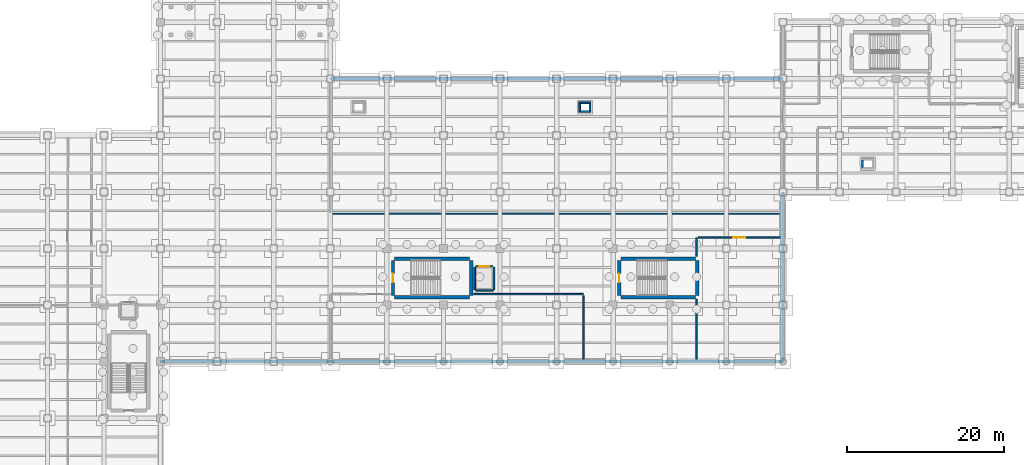
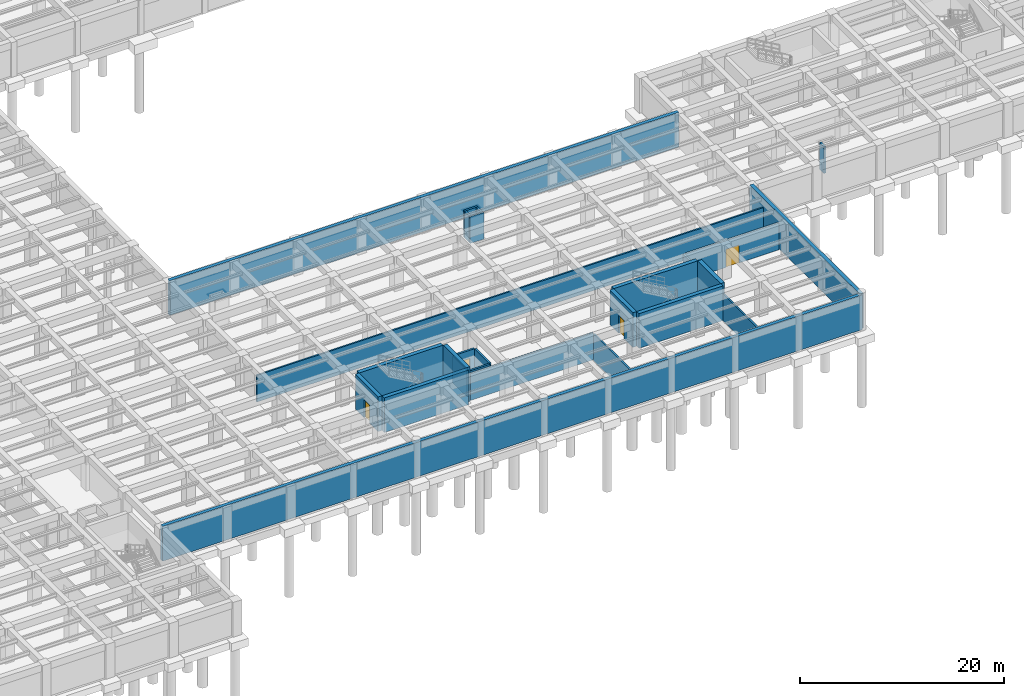
# One storey, part 17 of 34: 26 walls, 4 doors, 4 openings.
"""IFC4 building model written with IfcOpenShell, lengths in metres."""

from ifc_helpers import new_model, si_unit, direction, frame, frame_2d, origin, place, context, subcontext, project, spatial, rectangle, extrude, material, layer, layer_set, type_object, element, fill, save


model = new_model("IFC4")

# Units and contexts
model_context = context("Model", 3, precision=1e-05, world=origin(), true_north=direction((0.0, 1.0)))
body_context = subcontext(model_context, "Body", "Model", "MODEL_VIEW")
ifc_project = project(units=[si_unit("LENGTHUNIT", "METRE"), si_unit("AREAUNIT", "SQUARE_METRE"), si_unit("VOLUMEUNIT", "CUBIC_METRE"), si_unit("PLANEANGLEUNIT", "RADIAN"), si_unit("MASSUNIT", "GRAM", prefix="KILO")], contexts=[model_context])

# Site, building, storey
site_placement = place(None, origin())
site = spatial("IfcSite", under=ifc_project, at=site_placement, CompositionType="ELEMENT")
building_placement = place(site_placement, origin())
building = spatial("IfcBuilding", under=site, at=building_placement, Name="Solenvale Faculty of Natural Sciences", CompositionType="ELEMENT")
storey_placement = place(building_placement, frame((0.0, 0.0, -4.5)))
storey = spatial("IfcBuildingStorey", under=building, at=storey_placement, Name="B01", CompositionType="ELEMENT", Elevation=-4.5)

# Walls
ifc_material_1 = material(Name="Gypsum fire-rated laboratory partition")
ifc_layer_1 = layer(ifc_material_1, 0.175048828125)
ifc_layer_set_1 = layer_set([ifc_layer_1], Name="Gypsum fire-rated laboratory partition")
wall_type_1 = type_object("IfcWallType", Name="WL-LAB-175", PredefinedType="PARTITIONING", material=ifc_layer_set_1)
wall_1_placement = place(storey_placement, frame((114.89990234375, 33.219970703125, 0.0), z_axis=(0.0, 0.0, 1.0), x_axis=(-1.0, 0.0, 0.0)))
element("IfcWall", 1, at=wall_1_placement, inside=storey, type_object=wall_type_1, Name="B01 Geotechnical Rock Mechanics Laboratory Partition 17", PredefinedType="PARTITIONING", context=body_context, shape_type="SweptSolid", body=[
    extrude(rectangle(XDim=57.2998046875, YDim=0.175048828125, at=frame_2d((28.64990234375, 0.0))), origin(), (0.0, 0.0, 1.0), 3.18994140625),
])
ifc_material_2 = material(Name="Concrete 40 MPa", Category="concrete")
ifc_layer_2 = layer(ifc_material_2, 0.39990234375)
ifc_layer_set_2 = layer_set([ifc_layer_2], Name="Concrete 40 MPa")
wall_type_2 = type_object("IfcWallType", Name="WL-RET-400", PredefinedType="SOLIDWALL", material=ifc_layer_set_2)
wall_2_placement = place(storey_placement, frame((57.60009765625, 50.39990234375, 0.0), z_axis=(0.0, 0.0, 1.0), x_axis=(1.0, 0.0, 0.0)))
element("IfcWall", 2, at=wall_2_placement, inside=storey, type_object=wall_type_2, Name="B01 Escarpment Retaining Wall 13", PredefinedType="SOLIDWALL", context=body_context, shape_type="SweptSolid", body=[
    extrude(rectangle(XDim=57.599853515625, YDim=0.39990234375, at=frame_2d((28.7998046875, 0.0))), origin(), (0.0, 0.0, 1.0), 4.14990234375),
])
wall_3_placement = place(storey_placement, frame((115.199951171875, 36.0, 0.0), z_axis=(0.0, 0.0, 1.0), x_axis=(0.0, -1.0, 0.0)))
element("IfcWall", 3, at=wall_3_placement, inside=storey, type_object=wall_type_2, Name="B01 Escarpment Retaining Wall 18", PredefinedType="SOLIDWALL", context=body_context, shape_type="SweptSolid", body=[
    extrude(rectangle(XDim=21.60009765625, YDim=0.39990234375, at=frame_2d((10.800048828125, 0.0))), origin(), (0.0, 0.0, 1.0), 4.14990234375),
])
wall_4_placement = place(storey_placement, frame((115.199951171875, 14.39990234375, 0.0), z_axis=(0.0, 0.0, 1.0), x_axis=(-1.0, 0.0, 0.0)))
element("IfcWall", 4, at=wall_4_placement, inside=storey, type_object=wall_type_2, Name="B01 Escarpment Retaining Wall 19", PredefinedType="SOLIDWALL", context=body_context, shape_type="SweptSolid", body=[
    extrude(rectangle(XDim=79.199951171875, YDim=0.39990234375, at=frame_2d((39.60009765625, 0.0))), origin(), (0.0, 0.0, 1.0), 4.14990234375),
])
ifc_layer_3 = layer(ifc_material_2, 0.219970703125)
ifc_layer_set_3 = layer_set([ifc_layer_3], Name="Concrete 40 MPa")
wall_type_3 = type_object("IfcWallType", Name="WL-SHF-220", PredefinedType="STANDARD", material=ifc_layer_set_3)
wall_5_placement = place(storey_placement, frame((76.080078125, 23.469970703125, 0.0), z_axis=(0.0, 0.0, 1.0), x_axis=(1.0, 0.0, 0.0)))
element("IfcWall", 5, at=wall_5_placement, inside=storey, type_object=wall_type_3, Name="Elevator LG-01 B01 Shaft Wall S", PredefinedType="STANDARD", context=body_context, shape_type="SweptSolid", body=[
    extrude(rectangle(XDim=2.239990234375, YDim=0.219970703125, at=frame_2d((1.1201171875, 0.0))), origin(), (0.0, 0.0, 1.0), 3.18994140625),
])

# Wall, opening, door
wall_6_placement = place(storey_placement, frame((76.080078125, 26.530029296875, 0.0), z_axis=(0.0, 0.0, 1.0), x_axis=(1.0, 0.0, 0.0)))
wall_6 = element("IfcWall", 6, at=wall_6_placement, inside=storey, type_object=wall_type_3, Name="Elevator LG-01 B01 Shaft Wall N", PredefinedType="STANDARD", context=body_context, shape_type="SweptSolid", body=[
    extrude(rectangle(XDim=2.239990234375, YDim=0.219970703125, at=frame_2d((1.1201171875, 0.0))), origin(), (0.0, 0.0, 1.0), 3.18994140625),
])
opening_1_placement = place(wall_6_placement, frame((0.469970703125, 0.0, 0.0)))
opening_1 = element("IfcOpeningElement", 7, at=opening_1_placement, cuts=wall_6, Name="Opening LD-LG-01-B01", PredefinedType="OPENING", context=body_context, shape_type="SweptSolid", body=[
    extrude(rectangle(XDim=1.300048828125, YDim=2.199951171875, at=frame_2d((0.64990234375, 1.10009765625))), frame((0.0, 0.119873046875, 0.0), z_axis=(0.0, -1.0, 0.0), x_axis=(1.0, 0.0, 0.0)), (0.0, 0.0, 1.0), 0.239990234375),
])
ifc_material_3 = material(Name="Stainless steel Grade 304", Category="steel")
door_type_1 = type_object("IfcDoorType", Name="DR-LIFT-1300x2200", OperationType="NOTDEFINED", PredefinedType="DOOR", material=ifc_material_3)
door_1_placement = place(opening_1_placement, origin())
door_1 = element("IfcDoor", 8, at=door_1_placement, inside=storey, type_object=door_type_1, Name="Elevator LG-01 B01 Sliding Landing Door", OperationType="SLIDING_TO_LEFT", OverallHeight=2.199951171875, OverallWidth=1.300048828125, PredefinedType="DOOR", context=body_context, shape_type="SweptSolid", body=[
    extrude(rectangle(XDim=1.300048828125, YDim=2.199951171875, at=frame_2d((0.64990234375, 1.10009765625))), frame((0.0, 0.02490234375, 0.0), z_axis=(0.0, -1.0, 0.0), x_axis=(1.0, 0.0, 0.0)), (0.0, 0.0, 1.0), 0.050048828125),
])
fill(opening_1, door_1)

# Walls
for number, where, z_axis, x_axis, name in (
    (9, (75.969970703125, 23.580078125, 0.0), (0.0, 0.0, 1.0), (0.0, 1.0, 0.0), "Elevator LG-01 B01 Shaft Wall W"),
    (10, (78.429931640625, 23.580078125, 0.0), (0.0, 0.0, 1.0), (0.0, 1.0, 0.0), "Elevator LG-01 B01 Shaft Wall E"),
):
    element("IfcWall", number, at=place(storey_placement, frame(where, z_axis=z_axis, x_axis=x_axis)), inside=storey, type_object=wall_type_3, Name=name, PredefinedType="STANDARD", context=body_context, shape_type="SweptSolid", body=[
        extrude(rectangle(XDim=2.83984375, YDim=0.219970703125, at=frame_2d((1.419921875, 0.0))), origin(), (0.0, 0.0, 1.0), 3.18994140625),
    ])
for number, where, z_axis, x_axis, name in (
    (11, (89.22998046875, 46.239990234375, 0.0), (0.0, 0.0, 1.0), (1.0, 0.0, 0.0), "B01 Service Riser Shaft 5 Wall S"),
    (12, (89.22998046875, 47.360107421875, 0.0), (0.0, 0.0, 1.0), (1.0, 0.0, 0.0), "B01 Service Riser Shaft 5 Wall N"),
):
    element("IfcWall", number, at=place(storey_placement, frame(where, z_axis=z_axis, x_axis=x_axis)), inside=storey, type_object=wall_type_3, Name=name, PredefinedType="STANDARD", context=body_context, shape_type="SweptSolid", body=[
        extrude(rectangle(XDim=1.5400390625, YDim=0.219970703125, at=frame_2d((0.77001953125, 0.0))), origin(), (0.0, 0.0, 1.0), 3.18994140625),
    ])
for number, where, z_axis, x_axis, name in (
    (13, (89.340087890625, 46.35009765625, 0.0), (0.0, 0.0, 1.0), (0.0, 1.0, 0.0), "B01 Service Riser Shaft 5 Wall W"),
    (14, (90.659912109375, 46.35009765625, 0.0), (0.0, 0.0, 1.0), (0.0, 1.0, 0.0), "B01 Service Riser Shaft 5 Wall E"),
):
    element("IfcWall", number, at=place(storey_placement, frame(where, z_axis=z_axis, x_axis=x_axis)), inside=storey, type_object=wall_type_3, Name=name, PredefinedType="STANDARD", context=body_context, shape_type="SweptSolid", body=[
        extrude(rectangle(XDim=0.89990234375, YDim=0.219970703125, at=frame_2d((0.449951171875, 0.0))), origin(), (0.0, 0.0, 1.0), 3.18994140625),
    ])
wall_7_placement = place(storey_placement, frame((125.340087890625, 39.14990234375, 0.0), z_axis=(0.0, 0.0, 1.0), x_axis=(0.0, 1.0, 0.0)))
element("IfcWall", 15, at=wall_7_placement, inside=storey, type_object=wall_type_3, Name="B01 Service Riser Shaft 6 Wall W", PredefinedType="STANDARD", context=body_context, shape_type="SweptSolid", body=[
    extrude(rectangle(XDim=0.900146484375, YDim=0.219970703125, at=frame_2d((0.4501953125, 0.0))), origin(), (0.0, 0.0, 1.0), 3.18994140625),
])
ifc_material_4 = material(Name="Concrete 50 MPa", Category="concrete")
ifc_layer_4 = layer(ifc_material_4, 0.43994140625)
ifc_layer_set_4 = layer_set([ifc_layer_4], Name="Concrete 50 MPa")
wall_type_4 = type_object("IfcWallType", Name="WL-SHR-440", PredefinedType="SHEAR", material=ifc_layer_set_4)
for number, where, z_axis, x_axis, name in (
    (16, (65.800048828125, 22.580078125, 0.0), (0.0, 0.0, 1.0), (1.0, 0.0, 0.0), "Core C3 B01 Shear Wall S"),
    (17, (65.800048828125, 27.52001953125, 0.0), (0.0, 0.0, 1.0), (1.0, 0.0, 0.0), "Core C3 B01 Shear Wall N"),
):
    element("IfcWall", number, at=place(storey_placement, frame(where, z_axis=z_axis, x_axis=x_axis)), inside=storey, type_object=wall_type_4, Name=name, PredefinedType="SHEAR", context=body_context, shape_type="SweptSolid", body=[
        extrude(rectangle(XDim=9.5, YDim=0.43994140625, at=frame_2d((4.75, 0.0))), origin(), (0.0, 0.0, 1.0), 4.14990234375),
    ])

# Wall, opening, door
wall_8_placement = place(storey_placement, frame((65.580078125, 22.800048828125, 0.0), z_axis=(0.0, 0.0, 1.0), x_axis=(0.0, 1.0, 0.0)))
wall_8 = element("IfcWall", 18, at=wall_8_placement, inside=storey, type_object=wall_type_4, Name="Core C3 B01 Shear Wall W", PredefinedType="SHEAR", context=body_context, shape_type="SweptSolid", body=[
    extrude(rectangle(XDim=4.5, YDim=0.43994140625, at=frame_2d((2.25, 0.0))), origin(), (0.0, 0.0, 1.0), 4.14990234375),
])
opening_2_placement = place(wall_8_placement, frame((1.699951171875, 0.0, 0.0)))
opening_2 = element("IfcOpeningElement", 19, at=opening_2_placement, cuts=wall_8, Name="Opening DS-C3-B01", PredefinedType="OPENING", context=body_context, shape_type="SweptSolid", body=[
    extrude(rectangle(XDim=1.10009765625, YDim=2.14990234375, at=frame_2d((0.550048828125, 1.074951171875))), frame((0.0, 0.22998046875, 0.0), z_axis=(0.0, -1.0, 0.0), x_axis=(1.0, 0.0, 0.0)), (0.0, 0.0, 1.0), 0.4599609375),
])
ifc_material_5 = material(Name="Galvanised steel S355", Category="steel")
door_type_2 = type_object("IfcDoorType", Name="DR-STAIR-1100x2150", OperationType="NOTDEFINED", PredefinedType="DOOR", material=ifc_material_5)
door_2_placement = place(opening_2_placement, origin())
door_2 = element("IfcDoor", 20, at=door_2_placement, inside=storey, type_object=door_type_2, Name="B01 Stair ST-03 Fire Door", OperationType="SINGLE_SWING_LEFT", OverallHeight=2.14990234375, OverallWidth=1.10009765625, PredefinedType="DOOR", context=body_context, shape_type="SweptSolid", body=[
    extrude(rectangle(XDim=1.10009765625, YDim=2.14990234375, at=frame_2d((0.550048828125, 1.074951171875))), frame((0.0, 0.02490234375, 0.0), z_axis=(0.0, -1.0, 0.0), x_axis=(1.0, 0.0, 0.0)), (0.0, 0.0, 1.0), 0.050048828125),
])
fill(opening_2, door_2)

# Walls
wall_9_placement = place(storey_placement, frame((75.52001953125, 22.800048828125, 0.0), z_axis=(0.0, 0.0, 1.0), x_axis=(0.0, 1.0, 0.0)))
element("IfcWall", 21, at=wall_9_placement, inside=storey, type_object=wall_type_4, Name="Core C3 B01 Shear Wall E", PredefinedType="SHEAR", context=body_context, shape_type="SweptSolid", body=[
    extrude(rectangle(XDim=4.5, YDim=0.43994140625, at=frame_2d((2.25, 0.0))), origin(), (0.0, 0.0, 1.0), 4.14990234375),
])
for number, where, z_axis, x_axis, name in (
    (22, (94.60009765625, 22.580078125, 0.0), (0.0, 0.0, 1.0), (1.0, 0.0, 0.0), "Core C3B B01 Shear Wall S"),
    (23, (94.60009765625, 27.52001953125, 0.0), (0.0, 0.0, 1.0), (1.0, 0.0, 0.0), "Core C3B B01 Shear Wall N"),
):
    element("IfcWall", number, at=place(storey_placement, frame(where, z_axis=z_axis, x_axis=x_axis)), inside=storey, type_object=wall_type_4, Name=name, PredefinedType="SHEAR", context=body_context, shape_type="SweptSolid", body=[
        extrude(rectangle(XDim=9.5, YDim=0.43994140625, at=frame_2d((4.75, 0.0))), origin(), (0.0, 0.0, 1.0), 4.14990234375),
    ])

# Wall, opening, door
wall_10_placement = place(storey_placement, frame((94.3798828125, 22.800048828125, 0.0), z_axis=(0.0, 0.0, 1.0), x_axis=(0.0, 1.0, 0.0)))
wall_10 = element("IfcWall", 24, at=wall_10_placement, inside=storey, type_object=wall_type_4, Name="Core C3B B01 Shear Wall W", PredefinedType="SHEAR", context=body_context, shape_type="SweptSolid", body=[
    extrude(rectangle(XDim=4.5, YDim=0.43994140625, at=frame_2d((2.25, 0.0))), origin(), (0.0, 0.0, 1.0), 4.14990234375),
])
opening_3_placement = place(wall_10_placement, frame((1.699951171875, 0.0, 0.0)))
opening_3 = element("IfcOpeningElement", 25, at=opening_3_placement, cuts=wall_10, Name="Opening DS-C3B-B01", PredefinedType="OPENING", context=body_context, shape_type="SweptSolid", body=[
    extrude(rectangle(XDim=1.10009765625, YDim=2.14990234375, at=frame_2d((0.550048828125, 1.074951171875))), frame((0.0, 0.22998046875, 0.0), z_axis=(0.0, -1.0, 0.0), x_axis=(1.0, 0.0, 0.0)), (0.0, 0.0, 1.0), 0.4599609375),
])
door_3_placement = place(opening_3_placement, origin())
door_3 = element("IfcDoor", 26, at=door_3_placement, inside=storey, type_object=door_type_2, Name="B01 Stair ST-07 Fire Door", OperationType="SINGLE_SWING_LEFT", OverallHeight=2.14990234375, OverallWidth=1.10009765625, PredefinedType="DOOR", context=body_context, shape_type="SweptSolid", body=[
    extrude(rectangle(XDim=1.10009765625, YDim=2.14990234375, at=frame_2d((0.550048828125, 1.074951171875))), frame((0.0, 0.02490234375, 0.0), z_axis=(0.0, -1.0, 0.0), x_axis=(1.0, 0.0, 0.0)), (0.0, 0.0, 1.0), 0.050048828125),
])
fill(opening_3, door_3)

# Walls
wall_11_placement = place(storey_placement, frame((104.320068359375, 22.800048828125, 0.0), z_axis=(0.0, 0.0, 1.0), x_axis=(0.0, 1.0, 0.0)))
element("IfcWall", 27, at=wall_11_placement, inside=storey, type_object=wall_type_4, Name="Core C3B B01 Shear Wall E", PredefinedType="SHEAR", context=body_context, shape_type="SweptSolid", body=[
    extrude(rectangle(XDim=4.5, YDim=0.43994140625, at=frame_2d((2.25, 0.0))), origin(), (0.0, 0.0, 1.0), 4.14990234375),
])
ifc_material_6 = material(Name="Concrete masonry 20 MPa", Category="masonry")
ifc_layer_5 = layer(ifc_material_6, 0.195068359375)
ifc_layer_set_5 = layer_set([ifc_layer_5], Name="Concrete masonry 20 MPa")
wall_type_5 = type_object("IfcWallType", Name="WL-STR-195", PredefinedType="PARTITIONING", material=ifc_layer_set_5)
wall_12_placement = place(storey_placement, frame((75.84912109375, 23.0, 0.0), z_axis=(0.0, 0.0, 1.0), x_axis=(1.0, 0.0, 0.0)))
element("IfcWall", 28, at=wall_12_placement, inside=storey, type_object=wall_type_5, Name="B01 Chemical and Solvent Store Partition 55", PredefinedType="PARTITIONING", context=body_context, shape_type="SweptSolid", body=[
    extrude(rectangle(XDim=13.930908203125, YDim=0.195068359375, at=frame_2d((6.96533203125, 0.0))), origin(), (0.0, 0.0, 1.0), 3.18994140625),
])
wall_13_placement = place(storey_placement, frame((89.800048828125, 22.794921875, 0.0), z_axis=(0.0, 0.0, 1.0), x_axis=(0.0, -1.0, 0.0)))
element("IfcWall", 29, at=wall_13_placement, inside=storey, type_object=wall_type_5, Name="B01 Chemical and Solvent Store Partition 72", PredefinedType="PARTITIONING", context=body_context, shape_type="SweptSolid", body=[
    extrude(rectangle(XDim=8.0849609375, YDim=0.195068359375, at=frame_2d((4.04248046875, 0.0))), origin(), (0.0, 0.0, 1.0), 3.18994140625),
])
wall_14_placement = place(storey_placement, frame((104.199951171875, 14.7099609375, 0.0), z_axis=(0.0, 0.0, 1.0), x_axis=(0.0, 1.0, 0.0)))
element("IfcWall", 30, at=wall_14_placement, inside=storey, type_object=wall_type_5, Name="B01 Central Mechanical Plant Partition 3", PredefinedType="PARTITIONING", context=body_context, shape_type="SweptSolid", body=[
    extrude(rectangle(XDim=7.60595703125, YDim=0.195068359375, at=frame_2d((3.802978515625, 0.0))), origin(), (0.0, 0.0, 1.0), 3.18994140625),
])
wall_15_placement = place(storey_placement, frame((104.199951171875, 27.783935546875, 0.0), z_axis=(0.0, 0.0, 1.0), x_axis=(0.0, 1.0, 0.0)))
element("IfcWall", 31, at=wall_15_placement, inside=storey, type_object=wall_type_5, Name="B01 Central Mechanical Plant Partition 29", PredefinedType="PARTITIONING", context=body_context, shape_type="SweptSolid", body=[
    extrude(rectangle(XDim=2.39599609375, YDim=0.195068359375, at=frame_2d((1.197998046875, 0.0))), origin(), (0.0, 0.0, 1.0), 3.18994140625),
])

# Wall, opening, door
wall_16_placement = place(storey_placement, frame((104.406982421875, 30.179931640625, 0.0), z_axis=(0.0, 0.0, 1.0), x_axis=(1.0, 0.0, 0.0)))
wall_16 = element("IfcWall", 32, at=wall_16_placement, inside=storey, type_object=wall_type_5, Name="B01 Central Mechanical Plant Partition 30", PredefinedType="PARTITIONING", context=body_context, shape_type="SweptSolid", body=[
    extrude(rectangle(XDim=10.484130859375, YDim=0.195068359375, at=frame_2d((5.2421875, 0.0))), origin(), (0.0, 0.0, 1.0), 3.18994140625),
])
opening_4_placement = place(wall_16_placement, frame((4.491943359375, 0.0, 0.0)))
opening_4 = element("IfcOpeningElement", 33, at=opening_4_placement, cuts=wall_16, Name="Opening D-B01-07", PredefinedType="OPENING", context=body_context, shape_type="SweptSolid", body=[
    extrude(rectangle(XDim=1.5, YDim=2.14990234375, at=frame_2d((0.75, 1.074951171875))), frame((0.0, 0.107421875, 0.0), z_axis=(0.0, -1.0, 0.0), x_axis=(1.0, 0.0, 0.0)), (0.0, 0.0, 1.0), 0.215087890625),
])
door_type_3 = type_object("IfcDoorType", Name="DR-PLT-1500x2150", OperationType="NOTDEFINED", PredefinedType="DOOR", material=ifc_material_5)
door_4_placement = place(opening_4_placement, origin())
door_4 = element("IfcDoor", 34, at=door_4_placement, inside=storey, type_object=door_type_3, Name="B01 Central Mechanical Plant Door", OperationType="SINGLE_SWING_LEFT", OverallHeight=2.14990234375, OverallWidth=1.5, PredefinedType="DOOR", context=body_context, shape_type="SweptSolid", body=[
    extrude(rectangle(XDim=1.5, YDim=2.14990234375, at=frame_2d((0.75, 1.074951171875))), frame((0.0, 0.02490234375, 0.0), z_axis=(0.0, -1.0, 0.0), x_axis=(1.0, 0.0, 0.0)), (0.0, 0.0, 1.0), 0.050048828125),
])
fill(opening_4, door_4)

save(model, "model.ifc")
